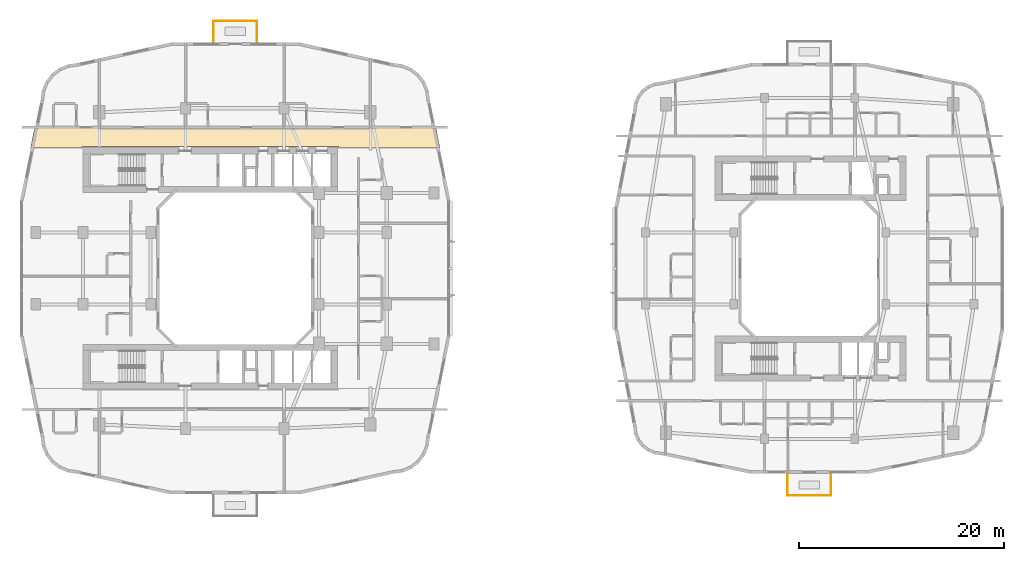
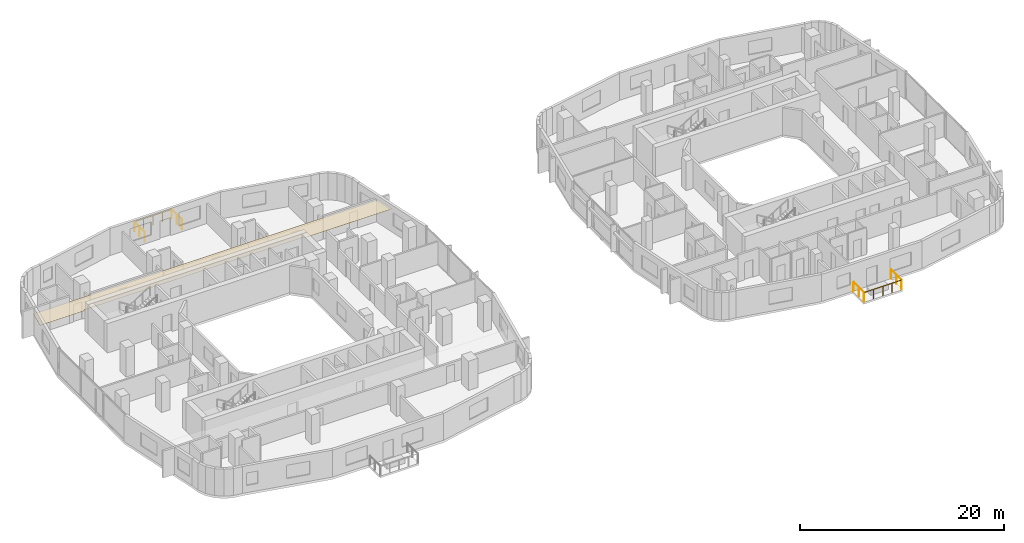
# One storey, part 21 of 22: 6 railings, 1 covering.
"""IFC4 building model written with IfcOpenShell, lengths in metres."""

from ifc_helpers import new_model, si_unit, derived_unit, direction, frame, origin, origin_2d, place, context, subcontext, project, spatial, polyline, circle, outline, extrude, material, layer, layer_set, type_object, element, save


model = new_model("IFC4")

# Units and contexts
model_context = context("Model", 3, precision=1e-05, world=origin(), true_north=direction((0.0, 1.0)))
body_context = subcontext(model_context, "Body", "Model", "MODEL_VIEW")
ifc_project = project(units=[si_unit("LENGTHUNIT", "METRE"), si_unit("AREAUNIT", "SQUARE_METRE"), si_unit("VOLUMEUNIT", "CUBIC_METRE"), si_unit("PLANEANGLEUNIT", "RADIAN"), si_unit("MASSUNIT", "GRAM", prefix="KILO"), derived_unit("THERMALTRANSMITTANCEUNIT", [(si_unit("POWERUNIT", "WATT"), 1), (si_unit("LENGTHUNIT", "METRE"), -2), (si_unit("THERMODYNAMICTEMPERATUREUNIT", "KELVIN"), -1)])], contexts=[model_context])

# Site, building, storey
site_placement = place(None, origin())
site = spatial("IfcSite", under=ifc_project, at=site_placement, CompositionType="ELEMENT")
building_placement = place(site_placement, origin())
building = spatial("IfcBuilding", under=site, at=building_placement, Name="Kivonza Crest Hotel", CompositionType="ELEMENT")
storey_placement = place(building_placement, frame((0.0, 0.0, 27.5)))
storey = spatial("IfcBuildingStorey", under=building, at=storey_placement, Name="L06", CompositionType="ELEMENT", Elevation=27.5)

# Covering
ifc_material_1 = material(Name="Mineral-fibre acoustic ceiling tile", Category="gypsum")
ifc_layer = layer(ifc_material_1, 0.02490234375)
ifc_layer_set = layer_set([ifc_layer], Name="Mineral-fibre acoustic ceiling tile")
covering_type = type_object("IfcCoveringType", Name="CV-CEIL-ACOU", PredefinedType="CEILING", material=ifc_layer_set)
covering_placement = place(storey_placement, frame((0.0, 0.0, 2.449951171875)))
element("IfcCovering", 1, at=covering_placement, inside=storey, type_object=covering_type, Name="L06 Hotel North Guest Corridor suspended ceiling", PredefinedType="CEILING", context=body_context, shape_type="SweptSolid", body=[
    extrude(outline(polyline([(1.506103515625, 38.7900390625), (1.083984375, 36.719970703125), (6.10009765625, 36.719970703125), (6.10009765625, 36.860107421875), (31.10009765625, 36.860107421875), (31.10009765625, 36.719970703125), (40.99609375, 36.719970703125), (40.573974609375, 38.7900390625), (1.506103515625, 38.7900390625)])), origin(), (0.0, 0.0, 1.0), 0.025146484375),
])

# Railings
ifc_material_2 = material(Name="Laminated glass and stainless steel balustrade", Category="steel")
railing_type = type_object("IfcRailingType", Name="RL-TERR-1150", PredefinedType="BALUSTRADE", material=ifc_material_2)
railing_1_placement = place(storey_placement, frame((18.919921875, 47.080078125, 0.0)))
element("IfcRailing", 2, at=railing_1_placement, inside=storey, type_object=railing_type, Name="L06 T1-L06-SG-NE perimeter safety balustrade 1", PredefinedType="BALUSTRADE", context=body_context, shape_type="SweptSolid", body=[
    extrude(circle(Radius=0.02392578125, at=origin_2d()), frame((0.0, 0.0, 1.1259765625), z_axis=(0.0, 1.0, 0.0), x_axis=(-1.0, 0.0, 0.0)), (0.0, 0.0, 1.0), 2.0400390625),
    extrude(circle(Radius=0.02099609375, at=origin_2d()), origin(), (0.0, 0.0, 1.0), 1.101806640625),
    extrude(circle(Radius=0.02099609375, at=origin_2d()), frame((0.0, 1.02001953125, 0.0)), (0.0, 0.0, 1.0), 1.101806640625),
    extrude(circle(Radius=0.02099609375, at=origin_2d()), frame((0.0, 2.0400390625, 0.0)), (0.0, 0.0, 1.0), 1.101806640625),
])
railing_2_placement = place(storey_placement, frame((18.919921875, 49.1201171875, 0.0)))
element("IfcRailing", 3, at=railing_2_placement, inside=storey, type_object=railing_type, Name="L06 T1-L06-SG-NE perimeter safety balustrade 2", PredefinedType="BALUSTRADE", context=body_context, shape_type="SweptSolid", body=[
    extrude(circle(Radius=0.02392578125, at=origin_2d()), frame((0.0, 0.0, 1.1259765625), z_axis=(1.0, 0.0, 0.0), x_axis=(0.0, 1.0, 0.0)), (0.0, 0.0, 1.0), 4.239990234375),
    extrude(circle(Radius=0.02099609375, at=origin_2d()), origin(), (0.0, 0.0, 1.0), 1.101806640625),
    extrude(circle(Radius=0.02099609375, at=origin_2d()), frame((1.06005859375, 0.0, 0.0)), (0.0, 0.0, 1.0), 1.101806640625),
    extrude(circle(Radius=0.02099609375, at=origin_2d()), frame((2.1201171875, 0.0, 0.0)), (0.0, 0.0, 1.0), 1.101806640625),
    extrude(circle(Radius=0.02099609375, at=origin_2d()), frame((3.179931640625, 0.0, 0.0)), (0.0, 0.0, 1.0), 1.101806640625),
    extrude(circle(Radius=0.02099609375, at=origin_2d()), frame((4.239990234375, 0.0, 0.0)), (0.0, 0.0, 1.0), 1.101806640625),
])
railing_3_placement = place(storey_placement, frame((23.159912109375, 49.1201171875, 0.0)))
element("IfcRailing", 4, at=railing_3_placement, inside=storey, type_object=railing_type, Name="L06 T1-L06-SG-NE perimeter safety balustrade 3", PredefinedType="BALUSTRADE", context=body_context, shape_type="SweptSolid", body=[
    extrude(circle(Radius=0.02392578125, at=origin_2d()), frame((0.0, 0.0, 1.1259765625), z_axis=(0.0, -1.0, 0.0), x_axis=(1.0, 0.0, 0.0)), (0.0, 0.0, 1.0), 2.0400390625),
    extrude(circle(Radius=0.02099609375, at=origin_2d()), origin(), (0.0, 0.0, 1.0), 1.101806640625),
    extrude(circle(Radius=0.02099609375, at=origin_2d()), frame((0.0, -1.02001953125, 0.0)), (0.0, 0.0, 1.0), 1.101806640625),
    extrude(circle(Radius=0.02099609375, at=origin_2d()), frame((0.0, -2.0400390625, 0.0)), (0.0, 0.0, 1.0), 1.101806640625),
])
railing_4_placement = place(storey_placement, frame((74.840087890625, 2.8798828125, 0.0)))
element("IfcRailing", 5, at=railing_4_placement, inside=storey, type_object=railing_type, Name="L06 T2-L06-SG-SW perimeter safety balustrade 1", PredefinedType="BALUSTRADE", context=body_context, shape_type="SweptSolid", body=[
    extrude(circle(Radius=0.02392578125, at=origin_2d()), frame((0.0, 0.0, 1.1259765625), z_axis=(0.0, 1.0, 0.0), x_axis=(-1.0, 0.0, 0.0)), (0.0, 0.0, 1.0), 2.0400390625),
    extrude(circle(Radius=0.02099609375, at=origin_2d()), origin(), (0.0, 0.0, 1.0), 1.101806640625),
    extrude(circle(Radius=0.02099609375, at=origin_2d()), frame((0.0, 1.02001953125, 0.0)), (0.0, 0.0, 1.0), 1.101806640625),
    extrude(circle(Radius=0.02099609375, at=origin_2d()), frame((0.0, 2.0400390625, 0.0)), (0.0, 0.0, 1.0), 1.101806640625),
])
railing_5_placement = place(storey_placement, frame((79.080078125, 4.919921875, 0.0)))
element("IfcRailing", 6, at=railing_5_placement, inside=storey, type_object=railing_type, Name="L06 T2-L06-SG-SW perimeter safety balustrade 2", PredefinedType="BALUSTRADE", context=body_context, shape_type="SweptSolid", body=[
    extrude(circle(Radius=0.02392578125, at=origin_2d()), frame((0.0, 0.0, 1.1259765625), z_axis=(0.0, -1.0, 0.0), x_axis=(1.0, 0.0, 0.0)), (0.0, 0.0, 1.0), 2.0400390625),
    extrude(circle(Radius=0.02099609375, at=origin_2d()), origin(), (0.0, 0.0, 1.0), 1.101806640625),
    extrude(circle(Radius=0.02099609375, at=origin_2d()), frame((0.0, -1.02001953125, 0.0)), (0.0, 0.0, 1.0), 1.101806640625),
    extrude(circle(Radius=0.02099609375, at=origin_2d()), frame((0.0, -2.0400390625, 0.0)), (0.0, 0.0, 1.0), 1.101806640625),
])
railing_6_placement = place(storey_placement, frame((79.080078125, 2.8798828125, 0.0)))
element("IfcRailing", 7, at=railing_6_placement, inside=storey, type_object=railing_type, Name="L06 T2-L06-SG-SW perimeter safety balustrade 3", PredefinedType="BALUSTRADE", context=body_context, shape_type="SweptSolid", body=[
    extrude(circle(Radius=0.02392578125, at=origin_2d()), frame((0.0, 0.0, 1.1259765625), z_axis=(-1.0, 0.0, 0.0), x_axis=(0.0, -1.0, 0.0)), (0.0, 0.0, 1.0), 4.239990234375),
    extrude(circle(Radius=0.02099609375, at=origin_2d()), origin(), (0.0, 0.0, 1.0), 1.101806640625),
    extrude(circle(Radius=0.02099609375, at=origin_2d()), frame((-1.06005859375, 0.0, 0.0)), (0.0, 0.0, 1.0), 1.101806640625),
    extrude(circle(Radius=0.02099609375, at=origin_2d()), frame((-2.1201171875, 0.0, 0.0)), (0.0, 0.0, 1.0), 1.101806640625),
    extrude(circle(Radius=0.02099609375, at=origin_2d()), frame((-3.179931640625, 0.0, 0.0)), (0.0, 0.0, 1.0), 1.101806640625),
    extrude(circle(Radius=0.02099609375, at=origin_2d()), frame((-4.239990234375, 0.0, 0.0)), (0.0, 0.0, 1.0), 1.101806640625),
])

save(model, "model.ifc")
